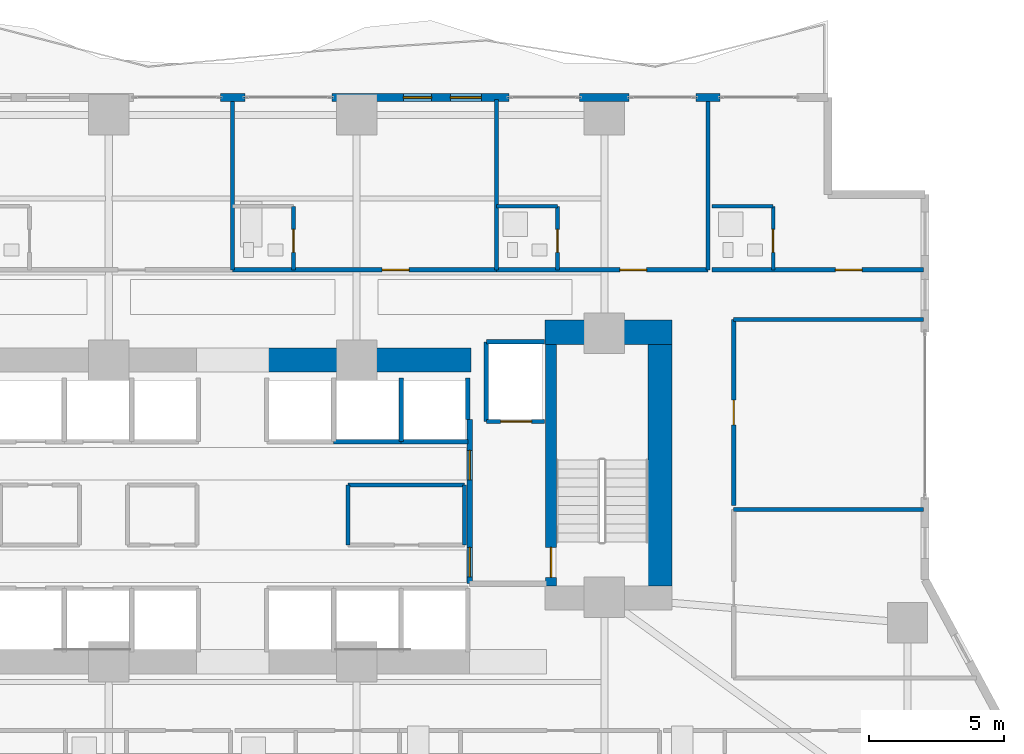
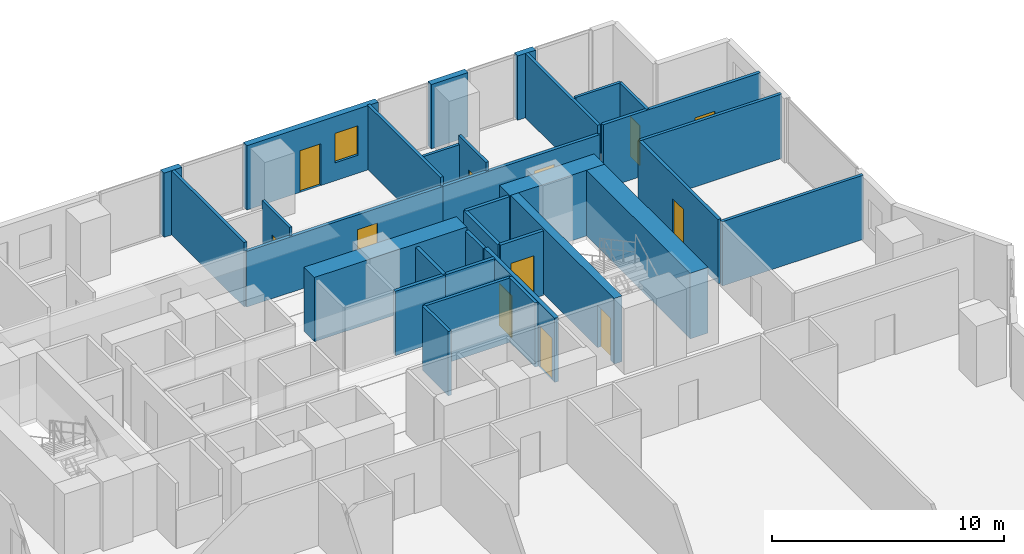
# One storey, part 22 of 30: 33 walls, 12 doors, 1 window, 13 openings.
"""IFC4 building model written with IfcOpenShell, lengths in metres."""

from ifc_helpers import new_model, si_unit, direction, frame, frame_2d, origin, place, context, subcontext, project, spatial, rectangle, extrude, material, layer, layer_set, type_object, element, fill, save


model = new_model("IFC4")

# Units and contexts
model_context = context("Model", 3, precision=1e-05, world=origin(), true_north=direction((0.0, 1.0)))
body_context = subcontext(model_context, "Body", "Model", "MODEL_VIEW")
ifc_project = project(units=[si_unit("LENGTHUNIT", "METRE"), si_unit("AREAUNIT", "SQUARE_METRE"), si_unit("VOLUMEUNIT", "CUBIC_METRE"), si_unit("PLANEANGLEUNIT", "RADIAN"), si_unit("MASSUNIT", "GRAM", prefix="KILO")], contexts=[model_context])

# Site, building, storey
site_placement = place(None, origin())
site = spatial("IfcSite", under=ifc_project, at=site_placement, CompositionType="ELEMENT")
building_placement = place(site_placement, origin())
building = spatial("IfcBuilding", under=site, at=building_placement, Name="Zuhayl Quay Hotel", CompositionType="ELEMENT")
storey_placement = place(building_placement, frame((0.0, 0.0, 86.0)))
storey = spatial("IfcBuildingStorey", under=building, at=storey_placement, Name="L21", CompositionType="ELEMENT", Elevation=86.0)

# Walls
ifc_material_1 = material(Name="Concrete C70/85", Category="concrete")
ifc_layer_1 = layer(ifc_material_1, 0.89990234375, Name="Concrete C70/85", Category="concrete")
ifc_layer_set_1 = layer_set([ifc_layer_1], Name="Concrete C70/85")
wall_type_1 = type_object("IfcWallType", Name="WL_CORE_900", PredefinedType="SHEAR", material=ifc_layer_set_1)
wall_1_placement = place(storey_placement, frame((11.60009765625, 14.3798828125, 0.0), z_axis=(0.0, 0.0, 1.0), x_axis=(1.0, 0.0, 0.0)))
element("IfcWall", 1, at=wall_1_placement, inside=storey, type_object=wall_type_1, Name="L21 Core Shear Wall CW_NE", PredefinedType="SHEAR", context=body_context, shape_type="SweptSolid", body=[
    extrude(rectangle(XDim=4.7099609375, YDim=0.89990234375, at=frame_2d((2.35498046875, 0.0))), origin(), (0.0, 0.0, 1.0), 3.4599609375),
])
wall_2_placement = place(storey_placement, frame((15.860107421875, 4.969970703125, 0.0), z_axis=(0.0, 0.0, 1.0), x_axis=(0.0, 1.0, 0.0)))
element("IfcWall", 2, at=wall_2_placement, inside=storey, type_object=wall_type_1, Name="L21 Core Shear Wall CW_E", PredefinedType="SHEAR", context=body_context, shape_type="SweptSolid", body=[
    extrude(rectangle(XDim=8.9599609375, YDim=0.89990234375, at=frame_2d((4.47998046875, 0.0))), origin(), (0.0, 0.0, 1.0), 3.4599609375),
])
wall_3_placement = place(storey_placement, frame((1.25, 13.35009765625, 0.0), z_axis=(0.0, 0.0, 1.0), x_axis=(1.0, 0.0, 0.0)))
element("IfcWall", 3, at=wall_3_placement, inside=storey, type_object=wall_type_1, Name="L21 Core Shear Wall CW_NC_E", PredefinedType="SHEAR", context=body_context, shape_type="SweptSolid", body=[
    extrude(rectangle(XDim=7.60009765625, YDim=0.89990234375, at=frame_2d((3.800048828125, 0.0))), origin(), (0.0, 0.0, 1.0), 3.389892578125),
])
ifc_material_2 = material(Name="Precast concrete C45/55", Category="concrete")
ifc_layer_2 = layer(ifc_material_2, 0.300048828125, Name="Precast concrete C45/55", Category="concrete")
ifc_layer_set_2 = layer_set([ifc_layer_2], Name="Precast concrete C45/55")
wall_type_2 = type_object("IfcWallType", Name="WL_EXT_300", PredefinedType="STANDARD", material=ifc_layer_set_2)
wall_4_placement = place(storey_placement, frame((-0.449951171875, 23.10009765625, 0.0), z_axis=(0.0, 0.0, 1.0), x_axis=(1.0, 0.0, 0.0)))
element("IfcWall", 4, at=wall_4_placement, inside=storey, type_object=wall_type_2, Name="L21 Exterior Precast Wall ENV_L21_N_EW5", PredefinedType="STANDARD", context=body_context, shape_type="SweptSolid", body=[
    extrude(rectangle(XDim=0.89990234375, YDim=0.300048828125, at=frame_2d((0.449951171875, 0.0))), origin(), (0.0, 0.0, 1.0), 3.389892578125),
])

# Wall, openings, door, window
wall_5_placement = place(storey_placement, frame((3.679931640625, 23.10009765625, 0.0), z_axis=(0.0, 0.0, 1.0), x_axis=(1.0, 0.0, 0.0)))
wall_5 = element("IfcWall", 5, at=wall_5_placement, inside=storey, type_object=wall_type_2, Name="L21 Exterior Precast Wall ENV_L21_N_EW6", PredefinedType="STANDARD", context=body_context, shape_type="SweptSolid", body=[
    extrude(rectangle(XDim=6.570068359375, YDim=0.300048828125, at=frame_2d((3.28515625, 0.0))), origin(), (0.0, 0.0, 1.0), 3.389892578125),
])
opening_1_placement = place(wall_5_placement, frame((2.655029296875, 0.0, 0.0)))
opening_1 = element("IfcOpeningElement", 6, at=opening_1_placement, cuts=wall_5, Name="Opening DG1", PredefinedType="OPENING", context=body_context, shape_type="SweptSolid", body=[
    extrude(rectangle(XDim=1.050048828125, YDim=2.199951171875, at=frame_2d((0.52490234375, 1.10009765625))), frame((0.0, 0.159912109375, 0.0), z_axis=(0.0, -1.0, 0.0), x_axis=(1.0, 0.0, 0.0)), (0.0, 0.0, 1.0), 0.320068359375),
])
opening_2_placement = place(wall_5_placement, frame((4.402587890625, 0.0, 0.949951171875)))
opening_2 = element("IfcOpeningElement", 7, at=opening_2_placement, cuts=wall_5, Name="Opening W01N", PredefinedType="OPENING", context=body_context, shape_type="SweptSolid", body=[
    extrude(rectangle(XDim=1.14990234375, YDim=1.550048828125, at=frame_2d((0.574951171875, 0.77490234375))), frame((0.0, 0.159912109375, 0.0), z_axis=(0.0, -1.0, 0.0), x_axis=(1.0, 0.0, 0.0)), (0.0, 0.0, 1.0), 0.320068359375),
])
ifc_material_3 = material(Name="Anodised Aluminium and Dark Solar Glass", Category="aluminium")
door_type_1 = type_object("IfcDoorType", Name="DR_EXT_TERR_1050", OperationType="NOTDEFINED", PredefinedType="DOOR", material=ifc_material_3)
door_1_placement = place(opening_1_placement, origin())
door_1 = element("IfcDoor", 8, at=door_1_placement, inside=storey, type_object=door_type_1, Name="L21 North Rippling Balcony Door", OperationType="SINGLE_SWING_LEFT", OverallHeight=2.199951171875, OverallWidth=1.050048828125, PredefinedType="DOOR", context=body_context, shape_type="SweptSolid", body=[
    extrude(rectangle(XDim=1.050048828125, YDim=2.199951171875, at=frame_2d((0.52490234375, 1.10009765625))), frame((0.0, 0.02490234375, 0.0), z_axis=(0.0, -1.0, 0.0), x_axis=(1.0, 0.0, 0.0)), (0.0, 0.0, 1.0), 0.050048828125),
])
fill(opening_1, door_1)
ifc_material_4 = material(Name="Dark Ceramic-Fritted Solar Glass", Category="glass")
window_type = type_object("IfcWindowType", Name="WN_NOTCH_1350", PartitioningType="SINGLE_PANEL", PredefinedType="WINDOW", material=ifc_material_4)
window_placement = place(opening_2_placement, origin())
window = element("IfcWindow", 9, at=window_placement, inside=storey, type_object=window_type, Name="L21 Operable Facade Window 6-1", OverallHeight=1.550048828125, OverallWidth=1.14990234375, PartitioningType="SINGLE_PANEL", PredefinedType="WINDOW", context=body_context, shape_type="SweptSolid", body=[
    extrude(rectangle(XDim=1.14990234375, YDim=1.550048828125, at=frame_2d((0.574951171875, 0.77490234375))), frame((0.0, 0.030029296875, 0.0), z_axis=(0.0, -1.0, 0.0), x_axis=(1.0, 0.0, 0.0)), (0.0, 0.0, 1.0), 0.06005859375),
])
fill(opening_2, window)

# Walls
wall_6_placement = place(storey_placement, frame((12.8798828125, 23.10009765625, 0.0), z_axis=(0.0, 0.0, 1.0), x_axis=(1.0, 0.0, 0.0)))
element("IfcWall", 10, at=wall_6_placement, inside=storey, type_object=wall_type_2, Name="L21 Exterior Precast Wall ENV_L21_N_EW7", PredefinedType="STANDARD", context=body_context, shape_type="SweptSolid", body=[
    extrude(rectangle(XDim=1.840087890625, YDim=0.300048828125, at=frame_2d((0.919921875, 0.0))), origin(), (0.0, 0.0, 1.0), 3.389892578125),
])
wall_7_placement = place(storey_placement, frame((17.18994140625, 23.10009765625, 0.0), z_axis=(0.0, 0.0, 1.0), x_axis=(1.0, 0.0, 0.0)))
element("IfcWall", 11, at=wall_7_placement, inside=storey, type_object=wall_type_2, Name="L21 Exterior Precast Wall ENV_L21_N_EW8", PredefinedType="STANDARD", context=body_context, shape_type="SweptSolid", body=[
    extrude(rectangle(XDim=0.900146484375, YDim=0.300048828125, at=frame_2d((0.4501953125, 0.0))), origin(), (0.0, 0.0, 1.0), 3.389892578125),
])
ifc_material_5 = material(Name="Acoustic Gypsum Partition STC-58")
ifc_layer_3 = layer(ifc_material_5, 0.14990234375, Name="Acoustic Gypsum Partition STC-58")
ifc_layer_set_3 = layer_set([ifc_layer_3], Name="Acoustic Gypsum Partition STC-58")
wall_type_3 = type_object("IfcWallType", Name="WL_PART_150", PredefinedType="PARTITIONING", material=ifc_layer_set_3)
wall_8_placement = place(storey_placement, frame((4.2900390625, 8.719970703125, 0.0), z_axis=(0.0, 0.0, 1.0), x_axis=(1.0, 0.0, 0.0)))
element("IfcWall", 12, at=wall_8_placement, inside=storey, type_object=wall_type_3, Name="L21 Partition IW_L21_CORE_VL_N", PredefinedType="PARTITIONING", context=body_context, shape_type="SweptSolid", body=[
    extrude(rectangle(XDim=4.320068359375, YDim=0.14990234375, at=frame_2d((2.16015625, 0.0))), origin(), (0.0, 0.0, 1.0), 3.389892578125),
])
for number, where, z_axis, x_axis, name in (
    (13, (4.2900390625, 6.47998046875, 0.0), (0.0, 0.0, 1.0), (0.0, 1.0, 0.0), "L21 Partition IW_L21_CORE_VL_W"),
    (14, (8.610107421875, 6.47998046875, 0.0), (0.0, 0.0, 1.0), (0.0, 1.0, 0.0), "L21 Partition IW_L21_CORE_VL_E"),
):
    element("IfcWall", number, at=place(storey_placement, frame(where, z_axis=z_axis, x_axis=x_axis)), inside=storey, type_object=wall_type_3, Name=name, PredefinedType="PARTITIONING", context=body_context, shape_type="SweptSolid", body=[
        extrude(rectangle(XDim=2.239990234375, YDim=0.14990234375, at=frame_2d((1.1201171875, 0.0))), origin(), (0.0, 0.0, 1.0), 3.389892578125),
    ])
for number, where, z_axis, x_axis, name in (
    (15, (0.0, 16.699951171875, 0.0), (0.0, 0.0, 1.0), (0.0, 1.0, 0.0), "L21 Partition IW_L21_NU02_E"),
    (16, (9.800048828125, 16.699951171875, 0.0), (0.0, 0.0, 1.0), (0.0, 1.0, 0.0), "L21 Partition IW_L21_NU03_E"),
    (17, (17.639892578125, 16.699951171875, 0.0), (0.0, 0.0, 1.0), (0.0, 1.0, 0.0), "L21 Partition IW_L21_NU04A_E"),
):
    element("IfcWall", number, at=place(storey_placement, frame(where, z_axis=z_axis, x_axis=x_axis)), inside=storey, type_object=wall_type_3, Name=name, PredefinedType="PARTITIONING", context=body_context, shape_type="SweptSolid", body=[
        extrude(rectangle(XDim=6.320068359375, YDim=0.14990234375, at=frame_2d((3.16015625, 0.0))), origin(), (0.0, 0.0, 1.0), 3.389892578125),
    ])
for number, where, z_axis, x_axis, name in (
    (18, (18.60009765625, 7.800048828125, 0.0), (0.0, 0.0, 1.0), (1.0, 0.0, 0.0), "L21 Partition IW_L21_HK_MAIN_N"),
    (19, (18.60009765625, 14.85009765625, 0.0), (0.0, 0.0, 1.0), (1.0, 0.0, 0.0), "L21 Partition IW_L21_EFLK_2_N"),
):
    element("IfcWall", number, at=place(storey_placement, frame(where, z_axis=z_axis, x_axis=x_axis)), inside=storey, type_object=wall_type_3, Name=name, PredefinedType="PARTITIONING", context=body_context, shape_type="SweptSolid", body=[
        extrude(rectangle(XDim=7.039794921875, YDim=0.14990234375, at=frame_2d((3.52001953125, 0.0))), origin(), (0.0, 0.0, 1.0), 3.389892578125),
    ])

# Wall, opening, door
ifc_layer_4 = layer(ifc_material_5, 0.159912109375, Name="Acoustic Gypsum Partition STC-58")
ifc_layer_set_4 = layer_set([ifc_layer_4], Name="Acoustic Gypsum Partition STC-58")
wall_type_4 = type_object("IfcWallType", Name="WL_PART_CORR_160", PredefinedType="PARTITIONING", material=ifc_layer_set_4)
wall_9_placement = place(storey_placement, frame((0.0, 16.699951171875, 0.0), z_axis=(0.0, 0.0, 1.0), x_axis=(1.0, 0.0, 0.0)))
wall_9 = element("IfcWall", 20, at=wall_9_placement, inside=storey, type_object=wall_type_4, Name="L21 Partition IW_L21_NU03_COR", PredefinedType="PARTITIONING", context=body_context, shape_type="SweptSolid", body=[
    extrude(rectangle(XDim=9.800048828125, YDim=0.159912109375, at=frame_2d((4.89990234375, 0.0))), origin(), (0.0, 0.0, 1.0), 2.93310546875),
])
opening_3_placement = place(wall_9_placement, frame((5.550048828125, 0.0, 0.0)))
opening_3 = element("IfcOpeningElement", 21, at=opening_3_placement, cuts=wall_9, Name="Opening D03L", PredefinedType="OPENING", context=body_context, shape_type="SweptSolid", body=[
    extrude(rectangle(XDim=1.0, YDim=2.14990234375, at=frame_2d((0.5, 1.074951171875))), frame((0.0, 0.08984375, 0.0), z_axis=(0.0, -1.0, 0.0), x_axis=(1.0, 0.0, 0.0)), (0.0, 0.0, 1.0), 0.179931640625),
])
ifc_material_6 = material(Name="Solid Walnut Acoustic Fire Door")
door_type_2 = type_object("IfcDoorType", Name="DR_SUITE_1000", OperationType="NOTDEFINED", PredefinedType="DOOR", material=ifc_material_6)
door_2_placement = place(opening_3_placement, origin())
door_2 = element("IfcDoor", 22, at=door_2_placement, inside=storey, type_object=door_type_2, Name="L21 Deluxe Gulf Guest Room L21-03 Entrance Door", OperationType="SINGLE_SWING_LEFT", OverallHeight=2.14990234375, OverallWidth=1.0, PredefinedType="DOOR", context=body_context, shape_type="SweptSolid", body=[
    extrude(rectangle(XDim=1.0, YDim=2.14990234375, at=frame_2d((0.5, 1.074951171875))), frame((0.0, 0.02490234375, 0.0), z_axis=(0.0, -1.0, 0.0), x_axis=(1.0, 0.0, 0.0)), (0.0, 0.0, 1.0), 0.050048828125),
])
fill(opening_3, door_2)

wall_10_placement = place(storey_placement, frame((9.800048828125, 16.699951171875, 0.0), z_axis=(0.0, 0.0, 1.0), x_axis=(1.0, 0.0, 0.0)))
wall_10 = element("IfcWall", 23, at=wall_10_placement, inside=storey, type_object=wall_type_4, Name="L21 Partition IW_L21_NU04A_COR", PredefinedType="PARTITIONING", context=body_context, shape_type="SweptSolid", body=[
    extrude(rectangle(XDim=7.83984375, YDim=0.159912109375, at=frame_2d((3.919921875, 0.0))), origin(), (0.0, 0.0, 1.0), 2.93310546875),
])
opening_4_placement = place(wall_10_placement, frame((4.570068359375, 0.0, 0.0)))
opening_4 = element("IfcOpeningElement", 24, at=opening_4_placement, cuts=wall_10, Name="Opening D03L", PredefinedType="OPENING", context=body_context, shape_type="SweptSolid", body=[
    extrude(rectangle(XDim=1.0, YDim=2.14990234375, at=frame_2d((0.5, 1.074951171875))), frame((0.0, 0.08984375, 0.0), z_axis=(0.0, -1.0, 0.0), x_axis=(1.0, 0.0, 0.0)), (0.0, 0.0, 1.0), 0.179931640625),
])
door_3_placement = place(opening_4_placement, origin())
door_3 = element("IfcDoor", 25, at=door_3_placement, inside=storey, type_object=door_type_2, Name="L21 Deluxe Gulf Guest Room L21-04A Entrance Door", OperationType="SINGLE_SWING_LEFT", OverallHeight=2.14990234375, OverallWidth=1.0, PredefinedType="DOOR", context=body_context, shape_type="SweptSolid", body=[
    extrude(rectangle(XDim=1.0, YDim=2.14990234375, at=frame_2d((0.5, 1.074951171875))), frame((0.0, 0.02490234375, 0.0), z_axis=(0.0, -1.0, 0.0), x_axis=(1.0, 0.0, 0.0)), (0.0, 0.0, 1.0), 0.050048828125),
])
fill(opening_4, door_3)

wall_11_placement = place(storey_placement, frame((17.800048828125, 16.699951171875, 0.0), z_axis=(0.0, 0.0, 1.0), x_axis=(1.0, 0.0, 0.0)))
wall_11 = element("IfcWall", 26, at=wall_11_placement, inside=storey, type_object=wall_type_4, Name="L21 Partition IW_L21_NU04B_COR", PredefinedType="PARTITIONING", context=body_context, shape_type="SweptSolid", body=[
    extrude(rectangle(XDim=7.83984375, YDim=0.159912109375, at=frame_2d((3.919921875, 0.0))), origin(), (0.0, 0.0, 1.0), 3.389892578125),
])
opening_5_placement = place(wall_11_placement, frame((4.570068359375, 0.0, 0.0)))
opening_5 = element("IfcOpeningElement", 27, at=opening_5_placement, cuts=wall_11, Name="Opening D03L", PredefinedType="OPENING", context=body_context, shape_type="SweptSolid", body=[
    extrude(rectangle(XDim=1.0, YDim=2.14990234375, at=frame_2d((0.5, 1.074951171875))), frame((0.0, 0.08984375, 0.0), z_axis=(0.0, -1.0, 0.0), x_axis=(1.0, 0.0, 0.0)), (0.0, 0.0, 1.0), 0.179931640625),
])
door_4_placement = place(opening_5_placement, origin())
door_4 = element("IfcDoor", 28, at=door_4_placement, inside=storey, type_object=door_type_2, Name="L21 Deluxe Gulf Guest Room L21-04B Entrance Door", OperationType="SINGLE_SWING_LEFT", OverallHeight=2.14990234375, OverallWidth=1.0, PredefinedType="DOOR", context=body_context, shape_type="SweptSolid", body=[
    extrude(rectangle(XDim=1.0, YDim=2.14990234375, at=frame_2d((0.5, 1.074951171875))), frame((0.0, 0.02490234375, 0.0), z_axis=(0.0, -1.0, 0.0), x_axis=(1.0, 0.0, 0.0)), (0.0, 0.0, 1.0), 0.050048828125),
])
fill(opening_5, door_4)

wall_12_placement = place(storey_placement, frame((18.60009765625, 7.9599609375, 0.0), z_axis=(0.0, 0.0, 1.0), x_axis=(0.0, 1.0, 0.0)))
wall_12 = element("IfcWall", 29, at=wall_12_placement, inside=storey, type_object=wall_type_4, Name="L21 Partition IW_L21_EFLK_2_W", PredefinedType="PARTITIONING", context=body_context, shape_type="SweptSolid", body=[
    extrude(rectangle(XDim=6.89013671875, YDim=0.159912109375, at=frame_2d((3.445068359375, 0.0))), origin(), (0.0, 0.0, 1.0), 3.389892578125),
])
opening_6_placement = place(wall_12_placement, frame((2.985107421875, 0.0, 0.0)))
opening_6 = element("IfcOpeningElement", 30, at=opening_6_placement, cuts=wall_12, Name="Opening D05", PredefinedType="OPENING", context=body_context, shape_type="SweptSolid", body=[
    extrude(rectangle(XDim=0.919921875, YDim=2.1201171875, at=frame_2d((0.4599609375, 1.06005859375))), frame((0.0, 0.08984375, 0.0), z_axis=(0.0, -1.0, 0.0), x_axis=(1.0, 0.0, 0.0)), (0.0, 0.0, 1.0), 0.179931640625),
])
door_type_3 = type_object("IfcDoorType", Name="DR_INT_950", OperationType="NOTDEFINED", PredefinedType="DOOR", material=ifc_material_6)
door_5_placement = place(opening_6_placement, origin())
door_5 = element("IfcDoor", 31, at=door_5_placement, inside=storey, type_object=door_type_3, Name="L21 Floor Beverage and Ice Pantry Door", OperationType="SINGLE_SWING_RIGHT", OverallHeight=2.1201171875, OverallWidth=0.919921875, PredefinedType="DOOR", context=body_context, shape_type="SweptSolid", body=[
    extrude(rectangle(XDim=0.919921875, YDim=2.1201171875, at=frame_2d((0.4599609375, 1.06005859375))), frame((0.0, 0.02490234375, 0.0), z_axis=(0.0, -1.0, 0.0), x_axis=(1.0, 0.0, 0.0)), (0.0, 0.0, 1.0), 0.050048828125),
])
fill(opening_6, door_5)

ifc_material_7 = material(Name="Moisture-Resistant Sanitarychase Gypsum")
ifc_layer_5 = layer(ifc_material_7, 0.135009765625, Name="Moisture-Resistant Sanitarychase Gypsum")
ifc_layer_set_5 = layer_set([ifc_layer_5], Name="Moisture-Resistant Sanitarychase Gypsum")
wall_type_5 = type_object("IfcWallType", Name="WL_PART_PLUMB_150", PredefinedType="PLUMBINGWALL", material=ifc_layer_set_5)
wall_13_placement = place(storey_placement, frame((2.260009765625, 16.699951171875, 0.0), z_axis=(0.0, 0.0, 1.0), x_axis=(0.0, 1.0, 0.0)))
wall_13 = element("IfcWall", 32, at=wall_13_placement, inside=storey, type_object=wall_type_5, Name="L21 Partition IW_L21_NU03_BE", PredefinedType="PLUMBINGWALL", context=body_context, shape_type="SweptSolid", body=[
    extrude(rectangle(XDim=2.360107421875, YDim=0.135009765625, at=frame_2d((1.18017578125, 0.0))), origin(), (0.0, 0.0, 1.0), 3.389892578125),
])
opening_7_placement = place(wall_13_placement, frame((0.64990234375, 0.0, 0.0)))
opening_7 = element("IfcOpeningElement", 33, at=opening_7_placement, cuts=wall_13, Name="Opening D04", PredefinedType="OPENING", context=body_context, shape_type="SweptSolid", body=[
    extrude(rectangle(XDim=0.85009765625, YDim=2.10009765625, at=frame_2d((0.425048828125, 1.050048828125))), frame((0.0, 0.077392578125, 0.0), z_axis=(0.0, -1.0, 0.0), x_axis=(1.0, 0.0, 0.0)), (0.0, 0.0, 1.0), 0.155029296875),
])
ifc_material_8 = material(Name="Moisture-Resistant Walnut Veneer")
door_type_4 = type_object("IfcDoorType", Name="DR_BATH_850", OperationType="NOTDEFINED", PredefinedType="DOOR", material=ifc_material_8)
door_6_placement = place(opening_7_placement, origin())
door_6 = element("IfcDoor", 34, at=door_6_placement, inside=storey, type_object=door_type_4, Name="L21 Deluxe Gulf Guest Room L21-03 En-Suite Door", OperationType="SINGLE_SWING_RIGHT", OverallHeight=2.10009765625, OverallWidth=0.85009765625, PredefinedType="DOOR", context=body_context, shape_type="SweptSolid", body=[
    extrude(rectangle(XDim=0.85009765625, YDim=2.10009765625, at=frame_2d((0.425048828125, 1.050048828125))), frame((0.0, 0.02490234375, 0.0), z_axis=(0.0, -1.0, 0.0), x_axis=(1.0, 0.0, 0.0)), (0.0, 0.0, 1.0), 0.050048828125),
])
fill(opening_7, door_6)

wall_14_placement = place(storey_placement, frame((12.06005859375, 16.699951171875, 0.0), z_axis=(0.0, 0.0, 1.0), x_axis=(0.0, 1.0, 0.0)))
wall_14 = element("IfcWall", 35, at=wall_14_placement, inside=storey, type_object=wall_type_5, Name="L21 Partition IW_L21_NU04A_BE", PredefinedType="PLUMBINGWALL", context=body_context, shape_type="SweptSolid", body=[
    extrude(rectangle(XDim=2.360107421875, YDim=0.135009765625, at=frame_2d((1.18017578125, 0.0))), origin(), (0.0, 0.0, 1.0), 3.389892578125),
])
opening_8_placement = place(wall_14_placement, frame((0.64990234375, 0.0, 0.0)))
opening_8 = element("IfcOpeningElement", 36, at=opening_8_placement, cuts=wall_14, Name="Opening D04", PredefinedType="OPENING", context=body_context, shape_type="SweptSolid", body=[
    extrude(rectangle(XDim=0.85009765625, YDim=2.10009765625, at=frame_2d((0.425048828125, 1.050048828125))), frame((0.0, 0.077392578125, 0.0), z_axis=(0.0, -1.0, 0.0), x_axis=(1.0, 0.0, 0.0)), (0.0, 0.0, 1.0), 0.155029296875),
])
door_7_placement = place(opening_8_placement, origin())
door_7 = element("IfcDoor", 37, at=door_7_placement, inside=storey, type_object=door_type_4, Name="L21 Deluxe Gulf Guest Room L21-04A En-Suite Door", OperationType="SINGLE_SWING_RIGHT", OverallHeight=2.10009765625, OverallWidth=0.85009765625, PredefinedType="DOOR", context=body_context, shape_type="SweptSolid", body=[
    extrude(rectangle(XDim=0.85009765625, YDim=2.10009765625, at=frame_2d((0.425048828125, 1.050048828125))), frame((0.0, 0.02490234375, 0.0), z_axis=(0.0, -1.0, 0.0), x_axis=(1.0, 0.0, 0.0)), (0.0, 0.0, 1.0), 0.050048828125),
])
fill(opening_8, door_7)

wall_15_placement = place(storey_placement, frame((20.06005859375, 16.699951171875, 0.0), z_axis=(0.0, 0.0, 1.0), x_axis=(0.0, 1.0, 0.0)))
wall_15 = element("IfcWall", 38, at=wall_15_placement, inside=storey, type_object=wall_type_5, Name="L21 Partition IW_L21_NU04B_BE", PredefinedType="PLUMBINGWALL", context=body_context, shape_type="SweptSolid", body=[
    extrude(rectangle(XDim=2.360107421875, YDim=0.135009765625, at=frame_2d((1.18017578125, 0.0))), origin(), (0.0, 0.0, 1.0), 3.389892578125),
])
opening_9_placement = place(wall_15_placement, frame((0.64990234375, 0.0, 0.0)))
opening_9 = element("IfcOpeningElement", 39, at=opening_9_placement, cuts=wall_15, Name="Opening D04", PredefinedType="OPENING", context=body_context, shape_type="SweptSolid", body=[
    extrude(rectangle(XDim=0.85009765625, YDim=2.10009765625, at=frame_2d((0.425048828125, 1.050048828125))), frame((0.0, 0.077392578125, 0.0), z_axis=(0.0, -1.0, 0.0), x_axis=(1.0, 0.0, 0.0)), (0.0, 0.0, 1.0), 0.155029296875),
])
door_8_placement = place(opening_9_placement, origin())
door_8 = element("IfcDoor", 40, at=door_8_placement, inside=storey, type_object=door_type_4, Name="L21 Deluxe Gulf Guest Room L21-04B En-Suite Door", OperationType="SINGLE_SWING_RIGHT", OverallHeight=2.10009765625, OverallWidth=0.85009765625, PredefinedType="DOOR", context=body_context, shape_type="SweptSolid", body=[
    extrude(rectangle(XDim=0.85009765625, YDim=2.10009765625, at=frame_2d((0.425048828125, 1.050048828125))), frame((0.0, 0.02490234375, 0.0), z_axis=(0.0, -1.0, 0.0), x_axis=(1.0, 0.0, 0.0)), (0.0, 0.0, 1.0), 0.050048828125),
])
fill(opening_9, door_8)

# Walls
wall_16_placement = place(storey_placement, frame((9.800048828125, 19.06005859375, 0.0), z_axis=(0.0, 0.0, 1.0), x_axis=(1.0, 0.0, 0.0)))
element("IfcWall", 41, at=wall_16_placement, inside=storey, type_object=wall_type_5, Name="L21 Partition IW_L21_NU04A_BN", PredefinedType="PLUMBINGWALL", context=body_context, shape_type="SweptSolid", body=[
    extrude(rectangle(XDim=2.260009765625, YDim=0.135009765625, at=frame_2d((1.1298828125, 0.0))), origin(), (0.0, 0.0, 1.0), 2.93310546875),
])
wall_17_placement = place(storey_placement, frame((17.800048828125, 19.06005859375, 0.0), z_axis=(0.0, 0.0, 1.0), x_axis=(1.0, 0.0, 0.0)))
element("IfcWall", 42, at=wall_17_placement, inside=storey, type_object=wall_type_5, Name="L21 Partition IW_L21_NU04B_BN", PredefinedType="PLUMBINGWALL", context=body_context, shape_type="SweptSolid", body=[
    extrude(rectangle(XDim=2.260009765625, YDim=0.135009765625, at=frame_2d((1.1298828125, 0.0))), origin(), (0.0, 0.0, 1.0), 3.389892578125),
])

# Wall, opening, door
ifc_material_9 = material(Name="Gypsum Fireboard Assembly EI-90")
ifc_layer_6 = layer(ifc_material_9, 0.1650390625, Name="Gypsum Fireboard Assembly EI-90")
ifc_layer_set_6 = layer_set([ifc_layer_6], Name="Gypsum Fireboard Assembly EI-90")
wall_type_6 = type_object("IfcWallType", Name="WL_PART_SHAFT_160", PredefinedType="PARTITIONING", material=ifc_layer_set_6)
wall_18_placement = place(storey_placement, frame((9.419921875, 11.070068359375, 0.0), z_axis=(0.0, 0.0, 1.0), x_axis=(1.0, 0.0, 0.0)))
wall_18 = element("IfcWall", 43, at=wall_18_placement, inside=storey, type_object=wall_type_6, Name="L21 Partition IW_L21_SH_FL2_F", PredefinedType="PARTITIONING", context=body_context, shape_type="SweptSolid", body=[
    extrude(rectangle(XDim=2.16015625, YDim=0.1650390625, at=frame_2d((1.080078125, 0.0))), origin(), (0.0, 0.0, 1.0), 3.389892578125),
])
opening_10_placement = place(wall_18_placement, frame((0.530029296875, 0.0, 0.0)))
opening_10 = element("IfcOpeningElement", 44, at=opening_10_placement, cuts=wall_18, Name="Opening LD2", PredefinedType="OPENING", context=body_context, shape_type="SweptSolid", body=[
    extrude(rectangle(XDim=1.14990234375, YDim=2.25, at=frame_2d((0.574951171875, 1.125))), frame((0.0, 0.092529296875, 0.0), z_axis=(0.0, -1.0, 0.0), x_axis=(1.0, 0.0, 0.0)), (0.0, 0.0, 1.0), 0.18505859375),
])
ifc_material_10 = material(Name="Brushed Stainless Steel", Category="steel")
door_type_5 = type_object("IfcDoorType", Name="DR_LIFT_FF_1100", OperationType="SLIDING_TO_LEFT", PredefinedType="DOOR", material=ifc_material_10)
door_9_placement = place(opening_10_placement, origin())
door_9 = element("IfcDoor", 45, at=door_9_placement, inside=storey, type_object=door_type_5, Name="L21 Lift FL2 Sliding Landing Door", OperationType="SLIDING_TO_LEFT", OverallHeight=2.25, OverallWidth=1.14990234375, PredefinedType="DOOR", context=body_context, shape_type="SweptSolid", body=[
    extrude(rectangle(XDim=1.14990234375, YDim=2.25, at=frame_2d((0.574951171875, 1.125))), frame((0.0, 0.02490234375, 0.0), z_axis=(0.0, -1.0, 0.0), x_axis=(1.0, 0.0, 0.0)), (0.0, 0.0, 1.0), 0.050048828125),
])
fill(opening_10, door_9)

# Walls
wall_19_placement = place(storey_placement, frame((9.419921875, 11.070068359375, 0.0), z_axis=(0.0, 0.0, 1.0), x_axis=(0.0, 1.0, 0.0)))
element("IfcWall", 46, at=wall_19_placement, inside=storey, type_object=wall_type_6, Name="L21 Partition IW_L21_SH_FL2_W", PredefinedType="PARTITIONING", context=body_context, shape_type="SweptSolid", body=[
    extrude(rectangle(XDim=2.9599609375, YDim=0.1650390625, at=frame_2d((1.47998046875, 0.0))), origin(), (0.0, 0.0, 1.0), 3.389892578125),
])
wall_20_placement = place(storey_placement, frame((9.419921875, 14.030029296875, 0.0), z_axis=(0.0, 0.0, 1.0), x_axis=(1.0, 0.0, 0.0)))
element("IfcWall", 47, at=wall_20_placement, inside=storey, type_object=wall_type_6, Name="L21 Partition IW_L21_SH_FL2_B", PredefinedType="PARTITIONING", context=body_context, shape_type="SweptSolid", body=[
    extrude(rectangle(XDim=2.16015625, YDim=0.1650390625, at=frame_2d((1.080078125, 0.0))), origin(), (0.0, 0.0, 1.0), 3.389892578125),
])
wall_21_placement = place(storey_placement, frame((3.75, 10.320068359375, 0.0), z_axis=(0.0, 0.0, 1.0), x_axis=(1.0, 0.0, 0.0)))
element("IfcWall", 48, at=wall_21_placement, inside=storey, type_object=wall_type_6, Name="L21 Partition IW_L21_SH_HP3_F", PredefinedType="PARTITIONING", context=body_context, shape_type="SweptSolid", body=[
    extrude(rectangle(XDim=2.5, YDim=0.1650390625, at=frame_2d((1.25, 0.0))), origin(), (0.0, 0.0, 1.0), 3.389892578125),
])
wall_22_placement = place(storey_placement, frame((6.25, 10.320068359375, 0.0), z_axis=(0.0, 0.0, 1.0), x_axis=(0.0, 1.0, 0.0)))
element("IfcWall", 49, at=wall_22_placement, inside=storey, type_object=wall_type_6, Name="L21 Partition IW_L21_SH_HP3_E", PredefinedType="PARTITIONING", context=body_context, shape_type="SweptSolid", body=[
    extrude(rectangle(XDim=2.35986328125, YDim=0.1650390625, at=frame_2d((1.179931640625, 0.0))), origin(), (0.0, 0.0, 1.0), 3.389892578125),
])
wall_23_placement = place(storey_placement, frame((6.25, 10.320068359375, 0.0), z_axis=(0.0, 0.0, 1.0), x_axis=(1.0, 0.0, 0.0)))
element("IfcWall", 50, at=wall_23_placement, inside=storey, type_object=wall_type_6, Name="L21 Partition IW_L21_SH_HP4_F", PredefinedType="PARTITIONING", context=body_context, shape_type="SweptSolid", body=[
    extrude(rectangle(XDim=2.47998046875, YDim=0.1650390625, at=frame_2d((1.239990234375, 0.0))), origin(), (0.0, 0.0, 1.0), 3.389892578125),
])
wall_24_placement = place(storey_placement, frame((8.72998046875, 11.14990234375, 0.0), z_axis=(0.0, 0.0, 1.0), x_axis=(0.0, 1.0, 0.0)))
element("IfcWall", 51, at=wall_24_placement, inside=storey, type_object=wall_type_6, Name="L21 Partition IW_L21_SH_HP4_E", PredefinedType="PARTITIONING", context=body_context, shape_type="SweptSolid", body=[
    extrude(rectangle(XDim=1.530029296875, YDim=0.1650390625, at=frame_2d((0.76513671875, 0.0))), origin(), (0.0, 0.0, 1.0), 3.389892578125),
])

# Wall, openings, doors
ifc_material_11 = material(Name="Gypsum Fireboard Assembly EI-120")
ifc_layer_7 = layer(ifc_material_11, 0.199951171875, Name="Gypsum Fireboard Assembly EI-120")
ifc_layer_set_7 = layer_set([ifc_layer_7], Name="Gypsum Fireboard Assembly EI-120")
wall_type_7 = type_object("IfcWallType", Name="WL_PART_SHAFT_200", PredefinedType="PARTITIONING", material=ifc_layer_set_7)
wall_25_placement = place(storey_placement, frame((8.800048828125, 11.14990234375, 0.0), z_axis=(0.0, 0.0, 1.0), x_axis=(0.0, -1.0, 0.0)))
wall_25 = element("IfcWall", 52, at=wall_25_placement, inside=storey, type_object=wall_type_7, Name="L21 Partition IW_L21_FSAE_E_W", PredefinedType="PARTITIONING", context=body_context, shape_type="SweptSolid", body=[
    extrude(rectangle(XDim=6.099853515625, YDim=0.199951171875, at=frame_2d((3.0498046875, 0.0))), origin(), (0.0, 0.0, 1.0), 3.389892578125),
])
opening_11_placement = place(wall_25_placement, frame((1.14990234375, 0.0, 0.0)))
opening_11 = element("IfcOpeningElement", 53, at=opening_11_placement, cuts=wall_25, Name="Opening D02", PredefinedType="OPENING", context=body_context, shape_type="SweptSolid", body=[
    extrude(rectangle(XDim=1.10009765625, YDim=2.199951171875, at=frame_2d((0.550048828125, 1.10009765625))), frame((0.0, 0.10986328125, 0.0), z_axis=(0.0, -1.0, 0.0), x_axis=(1.0, 0.0, 0.0)), (0.0, 0.0, 1.0), 0.219970703125),
])
opening_12_placement = place(wall_25_placement, frame((4.75, 0.0, 0.0)))
opening_12 = element("IfcOpeningElement", 54, at=opening_12_placement, cuts=wall_25, Name="Opening D02", PredefinedType="OPENING", context=body_context, shape_type="SweptSolid", body=[
    extrude(rectangle(XDim=1.10009765625, YDim=2.199951171875, at=frame_2d((0.550048828125, 1.10009765625))), frame((0.0, 0.10986328125, 0.0), z_axis=(0.0, -1.0, 0.0), x_axis=(1.0, 0.0, 0.0)), (0.0, 0.0, 1.0), 0.219970703125),
])
ifc_material_12 = material(Name="Steel ASTM A992 Grade 50", Category="steel")
door_type_6 = type_object("IfcDoorType", Name="DR_FIRE_90_1100", OperationType="NOTDEFINED", PredefinedType="DOOR", material=ifc_material_12)
door_10_placement = place(opening_11_placement, origin())
door_10 = element("IfcDoor", 55, at=door_10_placement, inside=storey, type_object=door_type_6, Name="L21 FSAE Lobby East North Entry Door", OperationType="SINGLE_SWING_LEFT", OverallHeight=2.199951171875, OverallWidth=1.10009765625, PredefinedType="DOOR", context=body_context, shape_type="SweptSolid", body=[
    extrude(rectangle(XDim=1.10009765625, YDim=2.199951171875, at=frame_2d((0.550048828125, 1.10009765625))), frame((0.0, 0.02490234375, 0.0), z_axis=(0.0, -1.0, 0.0), x_axis=(1.0, 0.0, 0.0)), (0.0, 0.0, 1.0), 0.050048828125),
])
fill(opening_11, door_10)
door_11_placement = place(opening_12_placement, origin())
door_11 = element("IfcDoor", 56, at=door_11_placement, inside=storey, type_object=door_type_6, Name="L21 FSAE Lobby East South Entry Door", OperationType="SINGLE_SWING_RIGHT", OverallHeight=2.199951171875, OverallWidth=1.10009765625, PredefinedType="DOOR", context=body_context, shape_type="SweptSolid", body=[
    extrude(rectangle(XDim=1.10009765625, YDim=2.199951171875, at=frame_2d((0.550048828125, 1.10009765625))), frame((0.0, 0.02490234375, 0.0), z_axis=(0.0, -1.0, 0.0), x_axis=(1.0, 0.0, 0.0)), (0.0, 0.0, 1.0), 0.050048828125),
])
fill(opening_12, door_11)

# Wall, opening, door
ifc_material_13 = material(Name="Concrete C60/75", Category="concrete")
ifc_layer_8 = layer(ifc_material_13, 0.39990234375, Name="Concrete C60/75", Category="concrete")
ifc_layer_set_8 = layer_set([ifc_layer_8], Name="Concrete C60/75")
wall_type_8 = type_object("IfcWallType", Name="WL_STAIR_400", PredefinedType="SHEAR", material=ifc_layer_set_8)
wall_26_placement = place(storey_placement, frame((11.820068359375, 13.929931640625, 0.0), z_axis=(0.0, 0.0, 1.0), x_axis=(0.0, -1.0, 0.0)))
wall_26 = element("IfcWall", 57, at=wall_26_placement, inside=storey, type_object=wall_type_8, Name="L21 Core Shear Wall SW_ST2", PredefinedType="SHEAR", context=body_context, shape_type="SweptSolid", body=[
    extrude(rectangle(XDim=8.9599609375, YDim=0.39990234375, at=frame_2d((4.47998046875, 0.0))), origin(), (0.0, 0.0, 1.0), 3.4599609375),
])
opening_13_placement = place(wall_26_placement, frame((7.530029296875, 0.0, 0.0)))
opening_13 = element("IfcOpeningElement", 58, at=opening_13_placement, cuts=wall_26, Name="Opening D01", PredefinedType="OPENING", context=body_context, shape_type="SweptSolid", body=[
    extrude(rectangle(XDim=1.1201171875, YDim=2.219970703125, at=frame_2d((0.56005859375, 1.10986328125))), frame((0.0, 0.2099609375, 0.0), z_axis=(0.0, -1.0, 0.0), x_axis=(1.0, 0.0, 0.0)), (0.0, 0.0, 1.0), 0.419921875),
])
door_type_7 = type_object("IfcDoorType", Name="DR_STAIR_90_1100", OperationType="NOTDEFINED", PredefinedType="DOOR", material=ifc_material_12)
door_12_placement = place(opening_13_placement, origin())
door_12 = element("IfcDoor", 59, at=door_12_placement, inside=storey, type_object=door_type_7, Name="L21 Smokeproof Exit Stair ST2 Door", OperationType="SINGLE_SWING_RIGHT", OverallHeight=2.219970703125, OverallWidth=1.1201171875, PredefinedType="DOOR", context=body_context, shape_type="SweptSolid", body=[
    extrude(rectangle(XDim=1.1201171875, YDim=2.219970703125, at=frame_2d((0.56005859375, 1.10986328125))), frame((0.0, 0.02490234375, 0.0), z_axis=(0.0, -1.0, 0.0), x_axis=(1.0, 0.0, 0.0)), (0.0, 0.0, 1.0), 0.050048828125),
])
fill(opening_13, door_12)

save(model, "model.ifc")
